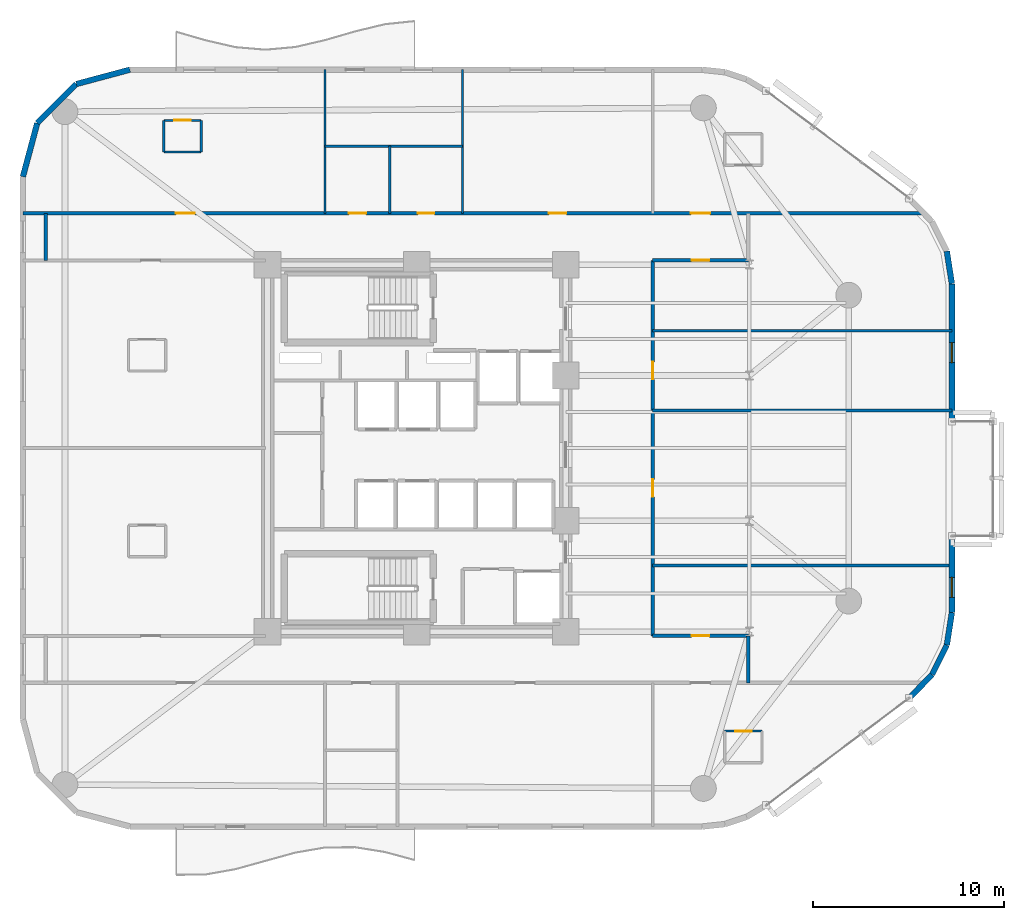
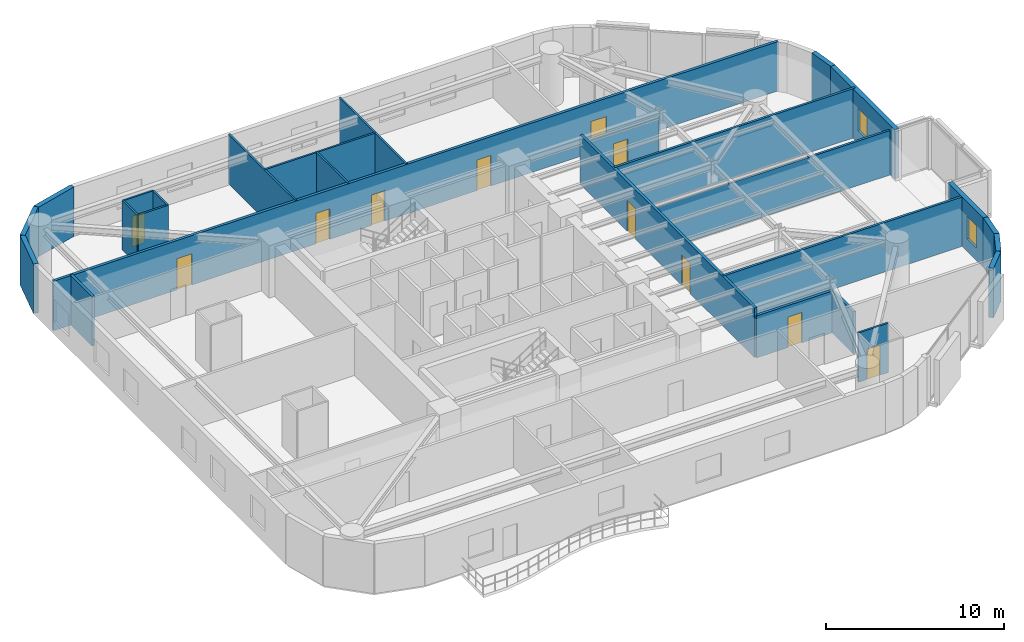
# One storey, part 10 of 13: 27 walls, 11 doors, 2 windows, 13 openings.
"""IFC4 building model written with IfcOpenShell, lengths in metres."""

from ifc_helpers import new_model, si_unit, direction, frame, frame_2d, origin, place, context, subcontext, project, spatial, rectangle, extrude, material, layer, layer_set, type_object, element, fill, save


model = new_model("IFC4")

# Units and contexts
model_context = context("Model", 3, precision=1e-05, world=origin(), true_north=direction((0.0, 1.0)))
body_context = subcontext(model_context, "Body", "Model", "MODEL_VIEW")
ifc_project = project(units=[si_unit("LENGTHUNIT", "METRE"), si_unit("AREAUNIT", "SQUARE_METRE"), si_unit("VOLUMEUNIT", "CUBIC_METRE"), si_unit("PLANEANGLEUNIT", "RADIAN"), si_unit("MASSUNIT", "GRAM", prefix="KILO")], contexts=[model_context])

# Site, building, storey
site_placement = place(None, origin())
site = spatial("IfcSite", under=ifc_project, at=site_placement, CompositionType="ELEMENT")
building_placement = place(site_placement, origin())
building = spatial("IfcBuilding", under=site, at=building_placement, Name="An Khanh Terracotta Commons", CompositionType="ELEMENT")
storey_placement = place(building_placement, frame((0.0, 0.0, 125.89990234375)))
storey = spatial("IfcBuildingStorey", under=building, at=storey_placement, Name="L33", CompositionType="ELEMENT", Elevation=125.89990234375)

# Wall, opening, door
ifc_material_1 = material(Name="Fire-Rated Gypsum Board on Steel Stud", Category="steel")
ifc_layer_1 = layer(ifc_material_1, 0.179931640625, Name="Fire-Rated Gypsum Board on Steel Stud")
ifc_layer_set_1 = layer_set([ifc_layer_1], Name="Fire-Rated Gypsum Board on Steel Stud")
wall_type_1 = type_object("IfcWallType", Name="WALL-CORR-180", PredefinedType="PARTITIONING", material=ifc_layer_set_1)
wall_1_placement = place(storey_placement, frame((41.75, 14.179931640625, 0.0), z_axis=(0.0, 0.0, 1.0), x_axis=(1.0, 0.0, 0.0)))
wall_1 = element("IfcWall", 1, at=wall_1_placement, inside=storey, type_object=wall_type_1, Name="L33 Interior Partition IW-L33-E004", PredefinedType="PARTITIONING", context=body_context, shape_type="SweptSolid", body=[
    extrude(rectangle(XDim=5.0, YDim=0.179931640625, at=frame_2d((2.5, 0.0))), origin(), (0.0, 0.0, 1.0), 2.882080078125),
])
opening_1_placement = place(wall_1_placement, frame((2.0400390625, 0.0, 0.0)))
opening_1 = element("IfcOpeningElement", 2, at=opening_1_placement, cuts=wall_1, Name="Opening D-RM", PredefinedType="OPENING", context=body_context, shape_type="SweptSolid", body=[
    extrude(rectangle(XDim=0.919921875, YDim=2.10009765625, at=frame_2d((0.4599609375, 1.050048828125))), frame((0.0, 0.099853515625, 0.0), z_axis=(0.0, -1.0, 0.0), x_axis=(1.0, 0.0, 0.0)), (0.0, 0.0, 1.0), 0.199951171875),
])
ifc_material_2 = material(Name="Engineered Hardwood Timber Leaf", Category="wood")
door_type_1 = type_object("IfcDoorType", Name="DOOR-INT-920", OperationType="NOTDEFINED", PredefinedType="DOOR", material=ifc_material_2)
door_1_placement = place(opening_1_placement, origin())
door_1 = element("IfcDoor", 3, at=door_1_placement, inside=storey, type_object=door_type_1, Name="L33 FAN1 Collaborative Study Lounge Door", OperationType="SINGLE_SWING_RIGHT", OverallHeight=2.10009765625, OverallWidth=0.919921875, PredefinedType="DOOR", context=body_context, shape_type="SweptSolid", body=[
    extrude(rectangle(XDim=0.919921875, YDim=2.10009765625, at=frame_2d((0.4599609375, 1.050048828125))), frame((0.0, 0.02490234375, 0.0), z_axis=(0.0, -1.0, 0.0), x_axis=(1.0, 0.0, 0.0)), (0.0, 0.0, 1.0), 0.050048828125),
])
fill(opening_1, door_1)

wall_2_placement = place(storey_placement, frame((41.75, 33.820068359375, 0.0), z_axis=(0.0, 0.0, 1.0), x_axis=(1.0, 0.0, 0.0)))
wall_2 = element("IfcWall", 4, at=wall_2_placement, inside=storey, type_object=wall_type_1, Name="L33 Interior Partition IW-L33-E010", PredefinedType="PARTITIONING", context=body_context, shape_type="SweptSolid", body=[
    extrude(rectangle(XDim=5.0, YDim=0.179931640625, at=frame_2d((2.5, 0.0))), origin(), (0.0, 0.0, 1.0), 2.882080078125),
])
opening_2_placement = place(wall_2_placement, frame((2.0400390625, 0.0, 0.0)))
opening_2 = element("IfcOpeningElement", 5, at=opening_2_placement, cuts=wall_2, Name="Opening D-RM", PredefinedType="OPENING", context=body_context, shape_type="SweptSolid", body=[
    extrude(rectangle(XDim=0.919921875, YDim=2.10009765625, at=frame_2d((0.4599609375, 1.050048828125))), frame((0.0, 0.099853515625, 0.0), z_axis=(0.0, -1.0, 0.0), x_axis=(1.0, 0.0, 0.0)), (0.0, 0.0, 1.0), 0.199951171875),
])
door_2_placement = place(opening_2_placement, origin())
door_2 = element("IfcDoor", 6, at=door_2_placement, inside=storey, type_object=door_type_1, Name="L33 FAN4 Collaborative Study Lounge Door", OperationType="SINGLE_SWING_LEFT", OverallHeight=2.10009765625, OverallWidth=0.919921875, PredefinedType="DOOR", context=body_context, shape_type="SweptSolid", body=[
    extrude(rectangle(XDim=0.919921875, YDim=2.10009765625, at=frame_2d((0.4599609375, 1.050048828125))), frame((0.0, 0.02490234375, 0.0), z_axis=(0.0, -1.0, 0.0), x_axis=(1.0, 0.0, 0.0)), (0.0, 0.0, 1.0), 0.050048828125),
])
fill(opening_2, door_2)

# Wall, openings, doors
wall_3_placement = place(storey_placement, frame((8.800048828125, 36.280029296875, 0.0), z_axis=(0.0, 0.0, 1.0), x_axis=(1.0, 0.0, 0.0)))
wall_3 = element("IfcWall", 7, at=wall_3_placement, inside=storey, type_object=wall_type_1, Name="L33 Interior Partition IW-L33-E011", PredefinedType="PARTITIONING", context=body_context, shape_type="SweptSolid", body=[
    extrude(rectangle(XDim=47.140869140625, YDim=0.179931640625, at=frame_2d((23.5703125, 0.0))), origin(), (0.0, 0.0, 1.0), 3.400146484375),
])
opening_3_placement = place(wall_3_placement, frame((17.050048828125, 0.0, 0.0)))
opening_3 = element("IfcOpeningElement", 8, at=opening_3_placement, cuts=wall_3, Name="Opening D-WC", PredefinedType="OPENING", context=body_context, shape_type="SweptSolid", body=[
    extrude(rectangle(XDim=0.89990234375, YDim=2.10009765625, at=frame_2d((0.449951171875, 1.050048828125))), frame((0.0, 0.099853515625, 0.0), z_axis=(0.0, -1.0, 0.0), x_axis=(1.0, 0.0, 0.0)), (0.0, 0.0, 1.0), 0.199951171875),
])
opening_4_placement = place(wall_3_placement, frame((20.669921875, 0.0, 0.0)))
opening_4 = element("IfcOpeningElement", 9, at=opening_4_placement, cuts=wall_3, Name="Opening D-ENS", PredefinedType="OPENING", context=body_context, shape_type="SweptSolid", body=[
    extrude(rectangle(XDim=0.860107421875, YDim=2.10009765625, at=frame_2d((0.43017578125, 1.050048828125))), frame((0.0, 0.099853515625, 0.0), z_axis=(0.0, -1.0, 0.0), x_axis=(1.0, 0.0, 0.0)), (0.0, 0.0, 1.0), 0.199951171875),
])
opening_5_placement = place(wall_3_placement, frame((34.949951171875, 0.0, 0.0)))
opening_5 = element("IfcOpeningElement", 10, at=opening_5_placement, cuts=wall_3, Name="Opening D-UN", PredefinedType="OPENING", context=body_context, shape_type="SweptSolid", body=[
    extrude(rectangle(XDim=1.0, YDim=2.14990234375, at=frame_2d((0.5, 1.074951171875))), frame((0.0, 0.099853515625, 0.0), z_axis=(0.0, -1.0, 0.0), x_axis=(1.0, 0.0, 0.0)), (0.0, 0.0, 1.0), 0.199951171875),
])
opening_6_placement = place(wall_3_placement, frame((8.0, 0.0, 0.0)))
opening_6 = element("IfcOpeningElement", 11, at=opening_6_placement, cuts=wall_3, Name="Opening D-UN", PredefinedType="OPENING", context=body_context, shape_type="SweptSolid", body=[
    extrude(rectangle(XDim=1.0, YDim=2.14990234375, at=frame_2d((0.5, 1.074951171875))), frame((0.0, 0.099853515625, 0.0), z_axis=(0.0, -1.0, 0.0), x_axis=(1.0, 0.0, 0.0)), (0.0, 0.0, 1.0), 0.199951171875),
])
opening_7_placement = place(wall_3_placement, frame((27.514892578125, 0.0, 0.0)))
opening_7 = element("IfcOpeningElement", 12, at=opening_7_placement, cuts=wall_3, Name="Opening D-RM", PredefinedType="OPENING", context=body_context, shape_type="SweptSolid", body=[
    extrude(rectangle(XDim=0.919921875, YDim=2.10009765625, at=frame_2d((0.4599609375, 1.050048828125))), frame((0.0, 0.099853515625, 0.0), z_axis=(0.0, -1.0, 0.0), x_axis=(1.0, 0.0, 0.0)), (0.0, 0.0, 1.0), 0.199951171875),
])
ifc_material_3 = material(Name="Moisture-Resistant Hardwood Timber Leaf", Category="wood")
door_type_2 = type_object("IfcDoorType", Name="DOOR-BATH-860", OperationType="NOTDEFINED", PredefinedType="DOOR", material=ifc_material_3)
door_3_placement = place(opening_4_placement, origin())
door_3 = element("IfcDoor", 13, at=door_3_placement, inside=storey, type_object=door_type_2, Name="L33 SHW Resident Shared Shower and Washroom Door", OperationType="SINGLE_SWING_RIGHT", OverallHeight=2.10009765625, OverallWidth=0.860107421875, PredefinedType="DOOR", context=body_context, shape_type="SweptSolid", body=[
    extrude(rectangle(XDim=0.860107421875, YDim=2.10009765625, at=frame_2d((0.43017578125, 1.050048828125))), frame((0.0, 0.02490234375, 0.0), z_axis=(0.0, -1.0, 0.0), x_axis=(1.0, 0.0, 0.0)), (0.0, 0.0, 1.0), 0.050048828125),
])
fill(opening_4, door_3)
door_4_placement = place(opening_7_placement, origin())
door_4 = element("IfcDoor", 14, at=door_4_placement, inside=storey, type_object=door_type_1, Name="L33 NWE Quiet Focus Office Door", OperationType="SINGLE_SWING_LEFT", OverallHeight=2.10009765625, OverallWidth=0.919921875, PredefinedType="DOOR", context=body_context, shape_type="SweptSolid", body=[
    extrude(rectangle(XDim=0.919921875, YDim=2.10009765625, at=frame_2d((0.4599609375, 1.050048828125))), frame((0.0, 0.02490234375, 0.0), z_axis=(0.0, -1.0, 0.0), x_axis=(1.0, 0.0, 0.0)), (0.0, 0.0, 1.0), 0.050048828125),
])
fill(opening_7, door_4)
ifc_material_4 = material(Name="Solid-Core Hardwood Acoustic Fire Door", Category="wood")
door_type_3 = type_object("IfcDoorType", Name="DOOR-UNIT-1000", OperationType="NOTDEFINED", PredefinedType="DOOR", material=ifc_material_4)
door_5_placement = place(opening_5_placement, origin())
door_5 = element("IfcDoor", 15, at=door_5_placement, inside=storey, type_object=door_type_3, Name="L33 FANN Kitchenette and Studio Apartment Door", OperationType="SINGLE_SWING_RIGHT", OverallHeight=2.14990234375, OverallWidth=1.0, PredefinedType="DOOR", context=body_context, shape_type="SweptSolid", body=[
    extrude(rectangle(XDim=1.0, YDim=2.14990234375, at=frame_2d((0.5, 1.074951171875))), frame((0.0, 0.02490234375, 0.0), z_axis=(0.0, -1.0, 0.0), x_axis=(1.0, 0.0, 0.0)), (0.0, 0.0, 1.0), 0.050048828125),
])
fill(opening_5, door_5)
door_6_placement = place(opening_6_placement, origin())
door_6 = element("IfcDoor", 16, at=door_6_placement, inside=storey, type_object=door_type_3, Name="L33 NW1 Kitchenette and Studio Apartment Door", OperationType="SINGLE_SWING_RIGHT", OverallHeight=2.14990234375, OverallWidth=1.0, PredefinedType="DOOR", context=body_context, shape_type="SweptSolid", body=[
    extrude(rectangle(XDim=1.0, YDim=2.14990234375, at=frame_2d((0.5, 1.074951171875))), frame((0.0, 0.02490234375, 0.0), z_axis=(0.0, -1.0, 0.0), x_axis=(1.0, 0.0, 0.0)), (0.0, 0.0, 1.0), 0.050048828125),
])
fill(opening_6, door_6)
ifc_material_5 = material(Name="Laminate Moisture-Resistant Timber Leaf", Category="wood")
door_type_4 = type_object("IfcDoorType", Name="DOOR-WC-900", OperationType="NOTDEFINED", PredefinedType="DOOR", material=ifc_material_5)
door_7_placement = place(opening_3_placement, origin())
door_7 = element("IfcDoor", 17, at=door_7_placement, inside=storey, type_object=door_type_4, Name="L33 AWC Accessible WC Door", OperationType="SINGLE_SWING_LEFT", OverallHeight=2.10009765625, OverallWidth=0.89990234375, PredefinedType="DOOR", context=body_context, shape_type="SweptSolid", body=[
    extrude(rectangle(XDim=0.89990234375, YDim=2.10009765625, at=frame_2d((0.449951171875, 1.050048828125))), frame((0.0, 0.02490234375, 0.0), z_axis=(0.0, -1.0, 0.0), x_axis=(1.0, 0.0, 0.0)), (0.0, 0.0, 1.0), 0.050048828125),
])
fill(opening_3, door_7)

# Wall
wall_4_placement = place(storey_placement, frame((10.0, 33.820068359375, 0.0), z_axis=(0.0, 0.0, 1.0), x_axis=(0.0, 1.0, 0.0)))
element("IfcWall", 18, at=wall_4_placement, inside=storey, type_object=wall_type_1, Name="L33 Interior Partition IW-L33-E014", PredefinedType="PARTITIONING", context=body_context, shape_type="SweptSolid", body=[
    extrude(rectangle(XDim=2.4599609375, YDim=0.179931640625, at=frame_2d((1.22998046875, 0.0))), origin(), (0.0, 0.0, 1.0), 3.400146484375),
])

# Wall, openings, doors
wall_5_placement = place(storey_placement, frame((41.75, 14.179931640625, 0.0), z_axis=(0.0, 0.0, 1.0), x_axis=(0.0, 1.0, 0.0)))
wall_5 = element("IfcWall", 19, at=wall_5_placement, inside=storey, type_object=wall_type_1, Name="L33 Interior Partition IW-L33-E021", PredefinedType="PARTITIONING", context=body_context, shape_type="SweptSolid", body=[
    extrude(rectangle(XDim=19.64013671875, YDim=0.179931640625, at=frame_2d((9.820068359375, 0.0))), origin(), (0.0, 0.0, 1.0), 3.400146484375),
])
opening_8_placement = place(wall_5_placement, frame((7.27294921875, 0.0, 0.0)))
opening_8 = element("IfcOpeningElement", 20, at=opening_8_placement, cuts=wall_5, Name="Opening D-RM", PredefinedType="OPENING", context=body_context, shape_type="SweptSolid", body=[
    extrude(rectangle(XDim=0.919921875, YDim=2.10009765625, at=frame_2d((0.4599609375, 1.050048828125))), frame((0.0, 0.099853515625, 0.0), z_axis=(0.0, -1.0, 0.0), x_axis=(1.0, 0.0, 0.0)), (0.0, 0.0, 1.0), 0.199951171875),
])
opening_9_placement = place(wall_5_placement, frame((13.412109375, 0.0, 0.0)))
opening_9 = element("IfcOpeningElement", 21, at=opening_9_placement, cuts=wall_5, Name="Opening D-RM", PredefinedType="OPENING", context=body_context, shape_type="SweptSolid", body=[
    extrude(rectangle(XDim=0.919921875, YDim=2.10009765625, at=frame_2d((0.4599609375, 1.050048828125))), frame((0.0, 0.099853515625, 0.0), z_axis=(0.0, -1.0, 0.0), x_axis=(1.0, 0.0, 0.0)), (0.0, 0.0, 1.0), 0.199951171875),
])
door_8_placement = place(opening_8_placement, origin())
door_8 = element("IfcDoor", 22, at=door_8_placement, inside=storey, type_object=door_type_1, Name="L33 FAN2 Riverfront Reading Hall Door", OperationType="SINGLE_SWING_LEFT", OverallHeight=2.10009765625, OverallWidth=0.919921875, PredefinedType="DOOR", context=body_context, shape_type="SweptSolid", body=[
    extrude(rectangle(XDim=0.919921875, YDim=2.10009765625, at=frame_2d((0.4599609375, 1.050048828125))), frame((0.0, 0.02490234375, 0.0), z_axis=(0.0, -1.0, 0.0), x_axis=(1.0, 0.0, 0.0)), (0.0, 0.0, 1.0), 0.050048828125),
])
fill(opening_8, door_8)
door_9_placement = place(opening_9_placement, origin())
door_9 = element("IfcDoor", 23, at=door_9_placement, inside=storey, type_object=door_type_1, Name="L33 FAN3 Collaborative Study Lounge Door", OperationType="SINGLE_SWING_RIGHT", OverallHeight=2.10009765625, OverallWidth=0.919921875, PredefinedType="DOOR", context=body_context, shape_type="SweptSolid", body=[
    extrude(rectangle(XDim=0.919921875, YDim=2.10009765625, at=frame_2d((0.4599609375, 1.050048828125))), frame((0.0, 0.02490234375, 0.0), z_axis=(0.0, -1.0, 0.0), x_axis=(1.0, 0.0, 0.0)), (0.0, 0.0, 1.0), 0.050048828125),
])
fill(opening_9, door_9)

# Walls
wall_6_placement = place(storey_placement, frame((46.75, 11.719970703125, 0.0), z_axis=(0.0, 0.0, 1.0), x_axis=(0.0, 1.0, 0.0)))
element("IfcWall", 24, at=wall_6_placement, inside=storey, type_object=wall_type_1, Name="L33 Interior Partition IW-L33-E023", PredefinedType="PARTITIONING", context=body_context, shape_type="SweptSolid", body=[
    extrude(rectangle(XDim=2.4599609375, YDim=0.179931640625, at=frame_2d((1.22998046875, 0.0))), origin(), (0.0, 0.0, 1.0), 2.882080078125),
])
ifc_material_6 = material(Name="Precast concrete C40/50", Category="concrete")
ifc_layer_2 = layer(ifc_material_6, 0.300048828125, Name="Precast concrete C40/50")
ifc_layer_set_2 = layer_set([ifc_layer_2], Name="Precast concrete C40/50")
wall_type_2 = type_object("IfcWallType", Name="WALL-EXT-300", PredefinedType="SOLIDWALL", material=ifc_layer_set_2)
for number, where, z_axis, x_axis, name in (
    (25, (55.159912109375, 10.919921875, 0.0), (0.0, 0.0, 1.0), (0.6983450845, 0.715761233201, 0.0), "L33 Insulated Terracotta Exterior Wall 9"),
    (26, (56.364013671875, 12.154052734375, 0.0), (0.0, 0.0, 1.0), (0.4472135955, 0.894427191, 0.0), "L33 Insulated Terracotta Exterior Wall 10"),
):
    element("IfcWall", number, at=place(storey_placement, frame(where, z_axis=z_axis, x_axis=x_axis)), inside=storey, type_object=wall_type_2, Name=name, PredefinedType="SOLIDWALL", context=body_context, shape_type="SweptSolid", body=[
        extrude(rectangle(XDim=1.72412109375, YDim=0.300048828125, at=frame_2d((0.862060546875, 0.0))), origin(), (0.0, 0.0, 1.0), 3.400146484375),
    ])
wall_7_placement = place(storey_placement, frame((57.135009765625, 13.696044921875, 0.0), z_axis=(0.0, 0.0, 1.0), x_axis=(0.153620989032, 0.988129845581, 0.0)))
element("IfcWall", 27, at=wall_7_placement, inside=storey, type_object=wall_type_2, Name="L33 Insulated Terracotta Exterior Wall 11", PredefinedType="SOLIDWALL", context=body_context, shape_type="SweptSolid", body=[
    extrude(rectangle(XDim=1.724365234375, YDim=0.300048828125, at=frame_2d((0.8623046875, 0.0))), origin(), (0.0, 0.0, 1.0), 3.400146484375),
])

# Wall, opening, window
wall_8_placement = place(storey_placement, frame((57.39990234375, 15.39990234375, 0.0), z_axis=(0.0, 0.0, 1.0), x_axis=(0.0, 1.0, 0.0)))
wall_8 = element("IfcWall", 28, at=wall_8_placement, inside=storey, type_object=wall_type_2, Name="L33 East Nose Wall South", PredefinedType="SOLIDWALL", context=body_context, shape_type="SweptSolid", body=[
    extrude(rectangle(XDim=4.0, YDim=0.300048828125, at=frame_2d((2.0, 0.0))), origin(), (0.0, 0.0, 1.0), 3.400146484375),
])
opening_10_placement = place(wall_8_placement, frame((0.794921875, 0.0, 0.85009765625)))
opening_10 = element("IfcOpeningElement", 29, at=opening_10_placement, cuts=wall_8, Name="Opening W-06", PredefinedType="OPENING", context=body_context, shape_type="SweptSolid", body=[
    extrude(rectangle(XDim=1.050048828125, YDim=1.550048828125, at=frame_2d((0.52490234375, 0.77490234375))), frame((0.0, 0.159912109375, 0.0), z_axis=(0.0, -1.0, 0.0), x_axis=(1.0, 0.0, 0.0)), (0.0, 0.0, 1.0), 0.320068359375),
])
ifc_material_7 = material(Name="Thermally Broken Aluminium and Low-E Glass", Category="aluminium")
window_type = type_object("IfcWindowType", Name="WIN-COR-1050x1550", PartitioningType="SINGLE_PANEL", PredefinedType="WINDOW", material=ifc_material_7)
window_1_placement = place(opening_10_placement, origin())
window_1 = element("IfcWindow", 30, at=window_1_placement, inside=storey, type_object=window_type, Name="L33 East Nose South Casement Window", OverallHeight=1.550048828125, OverallWidth=1.050048828125, PartitioningType="SINGLE_PANEL", PredefinedType="WINDOW", context=body_context, shape_type="SweptSolid", body=[
    extrude(rectangle(XDim=1.050048828125, YDim=1.550048828125, at=frame_2d((0.52490234375, 0.77490234375))), frame((0.0, 0.030029296875, 0.0), z_axis=(0.0, -1.0, 0.0), x_axis=(1.0, 0.0, 0.0)), (0.0, 0.0, 1.0), 0.06005859375),
])
fill(opening_10, window_1)

wall_9_placement = place(storey_placement, frame((57.39990234375, 25.39990234375, 0.0), z_axis=(0.0, 0.0, 1.0), x_axis=(0.0, 1.0, 0.0)))
wall_9 = element("IfcWall", 31, at=wall_9_placement, inside=storey, type_object=wall_type_2, Name="L33 East Nose Wall North", PredefinedType="SOLIDWALL", context=body_context, shape_type="SweptSolid", body=[
    extrude(rectangle(XDim=7.2001953125, YDim=0.300048828125, at=frame_2d((3.60009765625, 0.0))), origin(), (0.0, 0.0, 1.0), 3.400146484375),
])
opening_11_placement = place(wall_9_placement, frame((3.074951171875, 0.0, 0.85009765625)))
opening_11 = element("IfcOpeningElement", 32, at=opening_11_placement, cuts=wall_9, Name="Opening W-06", PredefinedType="OPENING", context=body_context, shape_type="SweptSolid", body=[
    extrude(rectangle(XDim=1.050048828125, YDim=1.550048828125, at=frame_2d((0.52490234375, 0.77490234375))), frame((0.0, 0.159912109375, 0.0), z_axis=(0.0, -1.0, 0.0), x_axis=(1.0, 0.0, 0.0)), (0.0, 0.0, 1.0), 0.320068359375),
])
window_2_placement = place(opening_11_placement, origin())
window_2 = element("IfcWindow", 33, at=window_2_placement, inside=storey, type_object=window_type, Name="L33 East Nose North Casement Window", OverallHeight=1.550048828125, OverallWidth=1.050048828125, PartitioningType="SINGLE_PANEL", PredefinedType="WINDOW", context=body_context, shape_type="SweptSolid", body=[
    extrude(rectangle(XDim=1.050048828125, YDim=1.550048828125, at=frame_2d((0.52490234375, 0.77490234375))), frame((0.0, 0.030029296875, 0.0), z_axis=(0.0, -1.0, 0.0), x_axis=(1.0, 0.0, 0.0)), (0.0, 0.0, 1.0), 0.06005859375),
])
fill(opening_11, window_2)

# Walls
wall_10_placement = place(storey_placement, frame((57.39990234375, 32.60009765625, 0.0), z_axis=(0.0, 0.0, 1.0), x_axis=(-0.153620989032, 0.988129845581, 0.0)))
element("IfcWall", 34, at=wall_10_placement, inside=storey, type_object=wall_type_2, Name="L33 Insulated Terracotta Exterior Wall 13", PredefinedType="SOLIDWALL", context=body_context, shape_type="SweptSolid", body=[
    extrude(rectangle(XDim=1.724365234375, YDim=0.300048828125, at=frame_2d((0.8623046875, 0.0))), origin(), (0.0, 0.0, 1.0), 3.400146484375),
])
wall_11_placement = place(storey_placement, frame((14.39990234375, 43.800048828125, 0.0), z_axis=(0.0, 0.0, 1.0), x_axis=(-0.965943540406, -0.258752926066, 0.0)))
element("IfcWall", 35, at=wall_11_placement, inside=storey, type_object=wall_type_2, Name="L33 Insulated Terracotta Exterior Wall 21", PredefinedType="SOLIDWALL", context=body_context, shape_type="SweptSolid", body=[
    extrude(rectangle(XDim=2.8984375, YDim=0.300048828125, at=frame_2d((1.44921875, 0.0))), origin(), (0.0, 0.0, 1.0), 3.400146484375),
])
wall_12_placement = place(storey_placement, frame((11.60009765625, 43.050048828125, 0.0), z_axis=(0.0, 0.0, 1.0), x_axis=(-0.707106781187, -0.707106781187, 0.0)))
element("IfcWall", 36, at=wall_12_placement, inside=storey, type_object=wall_type_2, Name="L33 Insulated Terracotta Exterior Wall 22", PredefinedType="SOLIDWALL", context=body_context, shape_type="SweptSolid", body=[
    extrude(rectangle(XDim=2.899169921875, YDim=0.300048828125, at=frame_2d((1.44970703125, 0.0))), origin(), (0.0, 0.0, 1.0), 3.400146484375),
])
wall_13_placement = place(storey_placement, frame((9.550048828125, 41.0, 0.0), z_axis=(0.0, 0.0, 1.0), x_axis=(-0.258731875344, -0.96594917914, 0.0)))
element("IfcWall", 37, at=wall_13_placement, inside=storey, type_object=wall_type_2, Name="L33 Insulated Terracotta Exterior Wall 23", PredefinedType="SOLIDWALL", context=body_context, shape_type="SweptSolid", body=[
    extrude(rectangle(XDim=2.898681640625, YDim=0.300048828125, at=frame_2d((1.44921875, 0.0))), origin(), (0.0, 0.0, 1.0), 3.400146484375),
])
ifc_material_8 = material(Name="Acoustic Gypsum Board Partition")
ifc_layer_3 = layer(ifc_material_8, 0.14990234375, Name="Acoustic Gypsum Board Partition")
ifc_layer_set_3 = layer_set([ifc_layer_3], Name="Acoustic Gypsum Board Partition")
wall_type_3 = type_object("IfcWallType", Name="WALL-PART-150", PredefinedType="PARTITIONING", material=ifc_layer_set_3)
wall_14_placement = place(storey_placement, frame((41.75, 17.860107421875, 0.0), z_axis=(0.0, 0.0, 1.0), x_axis=(1.0, 0.0, 0.0)))
element("IfcWall", 38, at=wall_14_placement, inside=storey, type_object=wall_type_3, Name="L33 Interior Partition IW-L33-E005", PredefinedType="PARTITIONING", context=body_context, shape_type="SweptSolid", body=[
    extrude(rectangle(XDim=15.64990234375, YDim=0.14990234375, at=frame_2d((7.824951171875, 0.0))), origin(), (0.0, 0.0, 1.0), 3.400146484375),
])
wall_15_placement = place(storey_placement, frame((41.75, 25.965087890625, 0.0), z_axis=(0.0, 0.0, 1.0), x_axis=(1.0, 0.0, 0.0)))
element("IfcWall", 39, at=wall_15_placement, inside=storey, type_object=wall_type_3, Name="L33 Interior Partition IW-L33-E007", PredefinedType="PARTITIONING", context=body_context, shape_type="SweptSolid", body=[
    extrude(rectangle(XDim=15.64990234375, YDim=0.14990234375, at=frame_2d((7.824951171875, 0.0))), origin(), (0.0, 0.0, 1.0), 3.052001953125),
])
wall_16_placement = place(storey_placement, frame((41.75, 30.139892578125, 0.0), z_axis=(0.0, 0.0, 1.0), x_axis=(1.0, 0.0, 0.0)))
element("IfcWall", 40, at=wall_16_placement, inside=storey, type_object=wall_type_3, Name="L33 Interior Partition IW-L33-E008", PredefinedType="PARTITIONING", context=body_context, shape_type="SweptSolid", body=[
    extrude(rectangle(XDim=15.64990234375, YDim=0.14990234375, at=frame_2d((7.824951171875, 0.0))), origin(), (0.0, 0.0, 1.0), 3.400146484375),
])

# Wall, opening, door
ifc_material_9 = material(Name="Moisture-Resistant Cement Board Partition")
ifc_layer_4 = layer(ifc_material_9, 0.1201171875, Name="Moisture-Resistant Cement Board Partition")
ifc_layer_set_4 = layer_set([ifc_layer_4], Name="Moisture-Resistant Cement Board Partition")
wall_type_4 = type_object("IfcWallType", Name="WALL-WET-120", PredefinedType="PARTITIONING", material=ifc_layer_set_4)
wall_17_placement = place(storey_placement, frame((45.51611328125, 9.198974609375, 0.0), z_axis=(0.0, 0.0, 1.0), x_axis=(1.0, 0.0, 0.0)))
wall_17 = element("IfcWall", 41, at=wall_17_placement, inside=storey, type_object=wall_type_4, Name="L33 Interior Partition IW-L33-FANS-BN", PredefinedType="PARTITIONING", context=body_context, shape_type="SweptSolid", body=[
    extrude(rectangle(XDim=1.949951171875, YDim=0.1201171875, at=frame_2d((0.97509765625, 0.0))), origin(), (0.0, 0.0, 1.0), 3.400146484375),
])
opening_12_placement = place(wall_17_placement, frame((0.544921875, 0.0, 0.0)))
opening_12 = element("IfcOpeningElement", 42, at=opening_12_placement, cuts=wall_17, Name="Opening D-ENS", PredefinedType="OPENING", context=body_context, shape_type="SweptSolid", body=[
    extrude(rectangle(XDim=0.860107421875, YDim=2.10009765625, at=frame_2d((0.43017578125, 1.050048828125))), frame((0.0, 0.070068359375, 0.0), z_axis=(0.0, -1.0, 0.0), x_axis=(1.0, 0.0, 0.0)), (0.0, 0.0, 1.0), 0.14013671875),
])
door_10_placement = place(opening_12_placement, origin())
door_10 = element("IfcDoor", 43, at=door_10_placement, inside=storey, type_object=door_type_2, Name="L33 Studio FANS En-suite Door", OperationType="SINGLE_SWING_LEFT", OverallHeight=2.10009765625, OverallWidth=0.860107421875, PredefinedType="DOOR", context=body_context, shape_type="SweptSolid", body=[
    extrude(rectangle(XDim=0.860107421875, YDim=2.10009765625, at=frame_2d((0.43017578125, 1.050048828125))), frame((0.0, 0.02490234375, 0.0), z_axis=(0.0, -1.0, 0.0), x_axis=(1.0, 0.0, 0.0)), (0.0, 0.0, 1.0), 0.050048828125),
])
fill(opening_12, door_10)

wall_18_placement = place(storey_placement, frame((16.174072265625, 41.14208984375, 0.0), z_axis=(0.0, 0.0, 1.0), x_axis=(1.0, 0.0, 0.0)))
wall_18 = element("IfcWall", 44, at=wall_18_placement, inside=storey, type_object=wall_type_4, Name="L33 Interior Partition IW-L33-NW1-BN", PredefinedType="PARTITIONING", context=body_context, shape_type="SweptSolid", body=[
    extrude(rectangle(XDim=1.949951171875, YDim=0.1201171875, at=frame_2d((0.97509765625, 0.0))), origin(), (0.0, 0.0, 1.0), 3.400146484375),
])
opening_13_placement = place(wall_18_placement, frame((0.544921875, 0.0, 0.0)))
opening_13 = element("IfcOpeningElement", 45, at=opening_13_placement, cuts=wall_18, Name="Opening D-ENS", PredefinedType="OPENING", context=body_context, shape_type="SweptSolid", body=[
    extrude(rectangle(XDim=0.860107421875, YDim=2.10009765625, at=frame_2d((0.43017578125, 1.050048828125))), frame((0.0, 0.070068359375, 0.0), z_axis=(0.0, -1.0, 0.0), x_axis=(1.0, 0.0, 0.0)), (0.0, 0.0, 1.0), 0.14013671875),
])
door_11_placement = place(opening_13_placement, origin())
door_11 = element("IfcDoor", 46, at=door_11_placement, inside=storey, type_object=door_type_2, Name="L33 Studio NW1 En-suite Door", OperationType="SINGLE_SWING_RIGHT", OverallHeight=2.10009765625, OverallWidth=0.860107421875, PredefinedType="DOOR", context=body_context, shape_type="SweptSolid", body=[
    extrude(rectangle(XDim=0.860107421875, YDim=2.10009765625, at=frame_2d((0.43017578125, 1.050048828125))), frame((0.0, 0.02490234375, 0.0), z_axis=(0.0, -1.0, 0.0), x_axis=(1.0, 0.0, 0.0)), (0.0, 0.0, 1.0), 0.050048828125),
])
fill(opening_13, door_11)

# Walls
wall_19_placement = place(storey_placement, frame((18.1240234375, 39.491943359375, 0.0), z_axis=(0.0, 0.0, 1.0), x_axis=(-1.0, 0.0, 0.0)))
element("IfcWall", 47, at=wall_19_placement, inside=storey, type_object=wall_type_4, Name="L33 Interior Partition IW-L33-NW1-BS", PredefinedType="PARTITIONING", context=body_context, shape_type="SweptSolid", body=[
    extrude(rectangle(XDim=1.949951171875, YDim=0.1201171875, at=frame_2d((0.97509765625, 0.0))), origin(), (0.0, 0.0, 1.0), 3.400146484375),
])
for number, where, z_axis, x_axis, name in (
    (48, (16.174072265625, 41.14208984375, 0.0), (0.0, 0.0, 1.0), (0.0, -1.0, 0.0), "L33 Interior Partition IW-L33-NW1-BW"),
    (49, (18.1240234375, 39.491943359375, 0.0), (0.0, 0.0, 1.0), (0.0, 1.0, 0.0), "L33 Interior Partition IW-L33-NW1-BE"),
):
    element("IfcWall", number, at=place(storey_placement, frame(where, z_axis=z_axis, x_axis=x_axis)), inside=storey, type_object=wall_type_4, Name=name, PredefinedType="PARTITIONING", context=body_context, shape_type="SweptSolid", body=[
        extrude(rectangle(XDim=1.650146484375, YDim=0.1201171875, at=frame_2d((0.8251953125, 0.0))), origin(), (0.0, 0.0, 1.0), 3.400146484375),
    ])
wall_20_placement = place(storey_placement, frame((24.60009765625, 39.800048828125, 0.0), z_axis=(0.0, 0.0, 1.0), x_axis=(1.0, 0.0, 0.0)))
element("IfcWall", 50, at=wall_20_placement, inside=storey, type_object=wall_type_4, Name="L33 Interior Partition IW-L33-E012", PredefinedType="PARTITIONING", context=body_context, shape_type="SweptSolid", body=[
    extrude(rectangle(XDim=7.199951171875, YDim=0.1201171875, at=frame_2d((3.60009765625, 0.0))), origin(), (0.0, 0.0, 1.0), 3.400146484375),
])
wall_21_placement = place(storey_placement, frame((24.60009765625, 36.280029296875, 0.0), z_axis=(0.0, 0.0, 1.0), x_axis=(0.0, 1.0, 0.0)))
element("IfcWall", 51, at=wall_21_placement, inside=storey, type_object=wall_type_4, Name="L33 Interior Partition IW-L33-E016", PredefinedType="PARTITIONING", context=body_context, shape_type="SweptSolid", body=[
    extrude(rectangle(XDim=7.52001953125, YDim=0.1201171875, at=frame_2d((3.760009765625, 0.0))), origin(), (0.0, 0.0, 1.0), 3.400146484375),
])
wall_22_placement = place(storey_placement, frame((28.0, 36.280029296875, 0.0), z_axis=(0.0, 0.0, 1.0), x_axis=(0.0, 1.0, 0.0)))
element("IfcWall", 52, at=wall_22_placement, inside=storey, type_object=wall_type_4, Name="L33 Interior Partition IW-L33-E017", PredefinedType="PARTITIONING", context=body_context, shape_type="SweptSolid", body=[
    extrude(rectangle(XDim=3.52001953125, YDim=0.1201171875, at=frame_2d((1.760009765625, 0.0))), origin(), (0.0, 0.0, 1.0), 3.400146484375),
])
wall_23_placement = place(storey_placement, frame((31.800048828125, 36.280029296875, 0.0), z_axis=(0.0, 0.0, 1.0), x_axis=(0.0, 1.0, 0.0)))
element("IfcWall", 53, at=wall_23_placement, inside=storey, type_object=wall_type_4, Name="L33 Interior Partition IW-L33-E019", PredefinedType="PARTITIONING", context=body_context, shape_type="SweptSolid", body=[
    extrude(rectangle(XDim=7.52001953125, YDim=0.1201171875, at=frame_2d((3.760009765625, 0.0))), origin(), (0.0, 0.0, 1.0), 3.400146484375),
])

save(model, "model.ifc")
